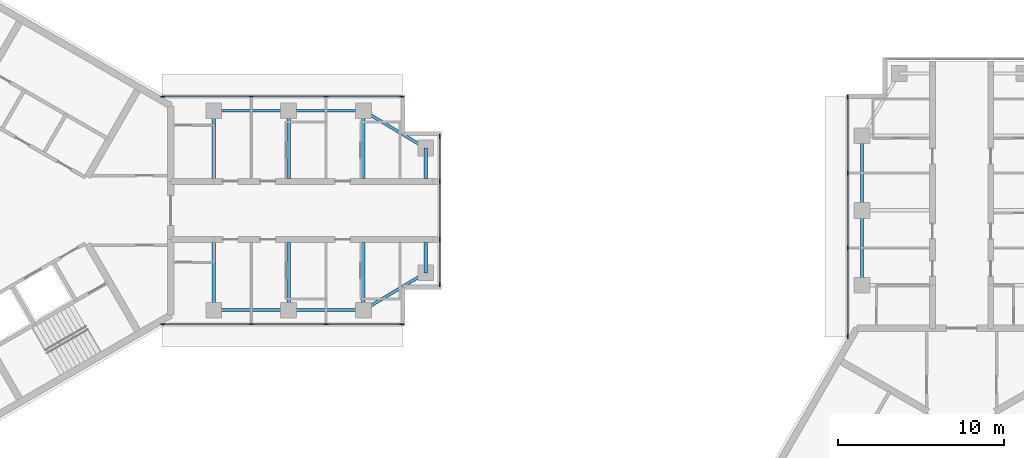
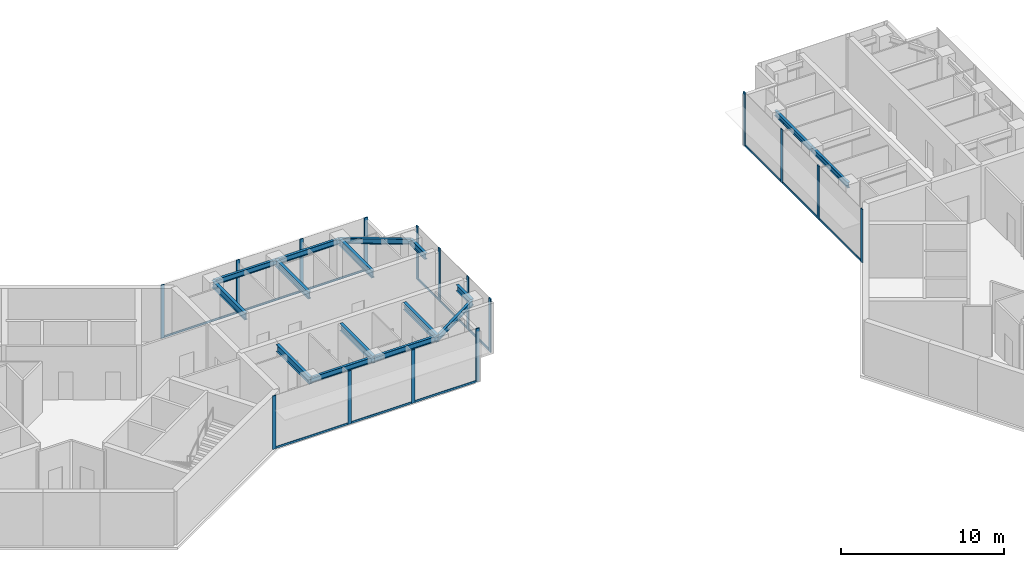
# One storey, part 2 of 11: 28 members, 16 beams, 4 elements without a shape of their own.
"""IFC4 building model written with IfcOpenShell, lengths in metres."""

from ifc_helpers import new_model, si_unit, direction, frame, origin, origin_2d, place, context, subcontext, project, spatial, rectangle, i_section, extrude, material, material_profile, profile_set, type_object, element, aggregate, save


model = new_model("IFC4")

# Units and contexts
model_context = context("Model", 3, precision=1e-05, world=origin(), true_north=direction((0.0, 1.0)))
body_context = subcontext(model_context, "Body", "Model", "MODEL_VIEW")
ifc_project = project(units=[si_unit("LENGTHUNIT", "METRE"), si_unit("AREAUNIT", "SQUARE_METRE"), si_unit("VOLUMEUNIT", "CUBIC_METRE"), si_unit("PLANEANGLEUNIT", "RADIAN"), si_unit("MASSUNIT", "GRAM", prefix="KILO")], contexts=[model_context])

# Site, building, storey
site_placement = place(None, origin())
site = spatial("IfcSite", under=ifc_project, at=site_placement, CompositionType="ELEMENT")
building_placement = place(site_placement, origin())
building = spatial("IfcBuilding", under=site, at=building_placement, Name="Upepo Twin Towers", CompositionType="ELEMENT")
storey_placement = place(building_placement, frame((0.0, 0.0, 283.5)))
storey = spatial("IfcBuildingStorey", under=building, at=storey_placement, Name="L69", CompositionType="ELEMENT", Elevation=283.5)

# Beams
ifc_material_1 = material(Name="Steel S355", Category="steel")
ifc_material_profile_1 = material_profile(ifc_material_1, i_section(OverallWidth=0.177978515625, OverallDepth=0.406494140625, WebThickness=0.0078125, FlangeThickness=0.0126953125, FilletRadius=0.01025390625, at=origin_2d()), Name="UB 406x178x60")
ifc_profile_set_1 = profile_set([ifc_material_profile_1], Name="Steel S355")
beam_type_1 = type_object("IfcBeamType", Name="Beam UB 406x178x60", PredefinedType="BEAM", material=ifc_profile_set_1)
for number, where, z_axis, x_axis, name in (
    (1, (13.5, 6.0, 3.5966796875), (1.0, 0.0, 0.0), (0.0, 1.0, 0.0), "T1 edge beam AL 13.5-18.0"),
    (2, (18.0, 6.0, 3.5966796875), (1.0, 0.0, 0.0), (0.0, 1.0, 0.0), "T1 edge beam AL 18.0-22.5"),
):
    element("IfcBeam", number, at=place(storey_placement, frame(where, z_axis=z_axis, x_axis=x_axis)), inside=storey, type_object=beam_type_1, Name=name, PredefinedType="BEAM", context=body_context, shape_type="SweptSolid", body=[
        extrude(i_section(OverallWidth=0.177978515625, OverallDepth=0.406494140625, WebThickness=0.0078125, FlangeThickness=0.0126953125, FilletRadius=0.01025390625, at=origin_2d()), origin(), (0.0, 0.0, 1.0), 4.5),
    ])
beam_1_placement = place(storey_placement, frame((22.5, 6.0, 3.5966796875), z_axis=(0.857492925713, -0.514495755428, 0.0), x_axis=(0.514495755428, 0.857492925713, 0.0)))
element("IfcBeam", 3, at=beam_1_placement, inside=storey, type_object=beam_type_1, Name="T1 nose edge beam AL", PredefinedType="BEAM", context=body_context, shape_type="SweptSolid", body=[
    extrude(i_section(OverallWidth=0.177978515625, OverallDepth=0.406494140625, WebThickness=0.0078125, FlangeThickness=0.0126953125, FilletRadius=0.01025390625, at=origin_2d()), origin(), (0.0, 0.0, 1.0), 4.373291015625),
])
for number, where, z_axis, x_axis, name in (
    (4, (13.5, -6.0, 3.5966796875), (1.0, 0.0, 0.0), (0.0, 1.0, 0.0), "T1 edge beam AR 13.5-18.0"),
    (5, (18.0, -6.0, 3.5966796875), (1.0, 0.0, 0.0), (0.0, 1.0, 0.0), "T1 edge beam AR 18.0-22.5"),
):
    element("IfcBeam", number, at=place(storey_placement, frame(where, z_axis=z_axis, x_axis=x_axis)), inside=storey, type_object=beam_type_1, Name=name, PredefinedType="BEAM", context=body_context, shape_type="SweptSolid", body=[
        extrude(i_section(OverallWidth=0.177978515625, OverallDepth=0.406494140625, WebThickness=0.0078125, FlangeThickness=0.0126953125, FilletRadius=0.01025390625, at=origin_2d()), origin(), (0.0, 0.0, 1.0), 4.5),
    ])
beam_2_placement = place(storey_placement, frame((22.5, -6.0, 3.5966796875), z_axis=(0.857492925713, 0.514495755428, 0.0), x_axis=(-0.514495755428, 0.857492925713, 0.0)))
element("IfcBeam", 6, at=beam_2_placement, inside=storey, type_object=beam_type_1, Name="T1 nose edge beam AR", PredefinedType="BEAM", context=body_context, shape_type="SweptSolid", body=[
    extrude(i_section(OverallWidth=0.177978515625, OverallDepth=0.406494140625, WebThickness=0.0078125, FlangeThickness=0.0126953125, FilletRadius=0.01025390625, at=origin_2d()), origin(), (0.0, 0.0, 1.0), 4.373291015625),
])
for number, where, z_axis, x_axis, name in (
    (7, (52.5, -4.5, 3.5966796875), (0.0, 1.0, 0.0), (-1.0, 0.0, 0.0), "T2 edge beam AL 13.5-18.0"),
    (8, (52.5, 0.0, 3.5966796875), (0.0, 1.0, 0.0), (-1.0, 0.0, 0.0), "T2 edge beam AL 18.0-22.5"),
):
    element("IfcBeam", number, at=place(storey_placement, frame(where, z_axis=z_axis, x_axis=x_axis)), inside=storey, type_object=beam_type_1, Name=name, PredefinedType="BEAM", context=body_context, shape_type="SweptSolid", body=[
        extrude(i_section(OverallWidth=0.177978515625, OverallDepth=0.406494140625, WebThickness=0.0078125, FlangeThickness=0.0126953125, FilletRadius=0.01025390625, at=origin_2d()), origin(), (0.0, 0.0, 1.0), 4.5),
    ])
ifc_material_2 = material(Name="Steel S355", Category="steel")
ifc_material_profile_2 = material_profile(ifc_material_2, i_section(OverallWidth=0.19140625, OverallDepth=0.4599609375, WebThickness=0.010009765625, FlangeThickness=0.01611328125, FilletRadius=0.01025390625, at=origin_2d()), Name="UB 457x191x82")
ifc_profile_set_2 = profile_set([ifc_material_profile_2], Name="Steel S355")
beam_type_2 = type_object("IfcBeamType", Name="Beam UB 457x191x82", PredefinedType="BEAM", material=ifc_profile_set_2)
for number, where, z_axis, x_axis, name in (
    (9, (26.25, 3.75, 3.570068359375), (0.0, -1.0, 0.0), (1.0, 0.0, 0.0), "T1 nose beam AL"),
    (10, (26.25, -3.75, 3.570068359375), (0.0, 1.0, 0.0), (-1.0, 0.0, 0.0), "T1 nose beam AR"),
):
    element("IfcBeam", number, at=place(storey_placement, frame(where, z_axis=z_axis, x_axis=x_axis)), inside=storey, type_object=beam_type_2, Name=name, PredefinedType="BEAM", context=body_context, shape_type="SweptSolid", body=[
        extrude(i_section(OverallWidth=0.19140625, OverallDepth=0.4599609375, WebThickness=0.010009765625, FlangeThickness=0.01611328125, FilletRadius=0.01025390625, at=origin_2d()), origin(), (0.0, 0.0, 1.0), 1.824951171875),
    ])
ifc_material_3 = material(Name="Steel S355", Category="steel")
ifc_material_profile_3 = material_profile(ifc_material_3, i_section(OverallWidth=0.209228515625, OverallDepth=0.533203125, WebThickness=0.010009765625, FlangeThickness=0.015625, FilletRadius=0.0126953125, at=origin_2d()), Name="UB 533x210x92")
ifc_profile_set_3 = profile_set([ifc_material_profile_3], Name="Steel S355")
beam_type_3 = type_object("IfcBeamType", Name="Beam UB 533x210x92", PredefinedType="BEAM", material=ifc_profile_set_3)
for number, where, z_axis, x_axis, name in (
    (11, (13.5, 6.0, 3.533447265625), (0.0, -1.0, 0.0), (1.0, 0.0, 0.0), "T1 girder AL at 13.5"),
    (12, (18.0, 6.0, 3.533447265625), (0.0, -1.0, 0.0), (1.0, 0.0, 0.0), "T1 girder AL at 18.0"),
    (13, (22.5, 6.0, 3.533447265625), (0.0, -1.0, 0.0), (1.0, 0.0, 0.0), "T1 girder AL at 22.5"),
    (14, (13.5, -6.0, 3.533447265625), (0.0, 1.0, 0.0), (-1.0, 0.0, 0.0), "T1 girder AR at 13.5"),
    (15, (18.0, -6.0, 3.533447265625), (0.0, 1.0, 0.0), (-1.0, 0.0, 0.0), "T1 girder AR at 18.0"),
    (16, (22.5, -6.0, 3.533447265625), (0.0, 1.0, 0.0), (-1.0, 0.0, 0.0), "T1 girder AR at 22.5"),
):
    element("IfcBeam", number, at=place(storey_placement, frame(where, z_axis=z_axis, x_axis=x_axis)), inside=storey, type_object=beam_type_3, Name=name, PredefinedType="BEAM", context=body_context, shape_type="SweptSolid", body=[
        extrude(i_section(OverallWidth=0.209228515625, OverallDepth=0.533203125, WebThickness=0.010009765625, FlangeThickness=0.015625, FilletRadius=0.0126953125, at=origin_2d()), origin(), (0.0, 0.0, 1.0), 4.074951171875),
    ])

# Curtain wall, members
ifc_material_4 = material(Name="Aluminium and fritted glass", Category="aluminium")
curtain_wall_type = type_object("IfcCurtainWallType", Name="Tower curtain wall TW4, fritted glass", PredefinedType="NOTDEFINED", material=ifc_material_4)
curtain_wall_1_placement = place(storey_placement, origin())
curtain_wall_1 = element("IfcCurtainWall", 17, at=curtain_wall_1_placement, inside=storey, type_object=curtain_wall_type, Name="T1 L69 wing A flank L curtain wall", PredefinedType="NOTDEFINED")
ifc_material_5 = material(Name="Aluminium mullion", Category="aluminium")
ifc_material_profile_4 = material_profile(ifc_material_5, rectangle(XDim=0.06494140625, YDim=0.25, at=origin_2d()), Name="MULLION 65x250")
ifc_profile_set_4 = profile_set([ifc_material_profile_4], Name="Aluminium mullion")
member_type_1 = type_object("IfcMemberType", Name="Mullion 65x250 TW4", PredefinedType="MULLION", material=ifc_profile_set_4)
member_1_placement = place(storey_placement, frame((10.419677734375, 6.85009765625, 0.0), z_axis=(0.0, 0.0, 1.0), x_axis=(0.0, 1.0, 0.0)))
member_1 = element("IfcMember", 18, at=member_1_placement, type_object=member_type_1, Name="T1 L69 wing A flank L curtain wall mullion 1", PredefinedType="MULLION", context=body_context, shape_type="SweptSolid", body=[
    extrude(rectangle(XDim=0.06494140625, YDim=0.25, at=origin_2d()), origin(), (0.0, 0.0, 1.0), 4.0),
])
member_2_placement = place(storey_placement, frame((15.75, 6.85009765625, 0.0), z_axis=(0.0, 0.0, 1.0), x_axis=(0.0, 1.0, 0.0)))
member_2 = element("IfcMember", 19, at=member_2_placement, type_object=member_type_1, Name="T1 L69 wing A flank L curtain wall mullion 2", PredefinedType="MULLION", context=body_context, shape_type="SweptSolid", body=[
    extrude(rectangle(XDim=0.06494140625, YDim=0.25, at=origin_2d()), origin(), (0.0, 0.0, 1.0), 4.0),
])
member_3_placement = place(storey_placement, frame((20.25, 6.85009765625, 0.0), z_axis=(0.0, 0.0, 1.0), x_axis=(0.0, 1.0, 0.0)))
member_3 = element("IfcMember", 20, at=member_3_placement, type_object=member_type_1, Name="T1 L69 wing A flank L curtain wall mullion 3", PredefinedType="MULLION", context=body_context, shape_type="SweptSolid", body=[
    extrude(rectangle(XDim=0.06494140625, YDim=0.25, at=origin_2d()), origin(), (0.0, 0.0, 1.0), 4.0),
])
member_4_placement = place(storey_placement, frame((24.8173828125, 6.85009765625, 0.0), z_axis=(0.0, 0.0, 1.0), x_axis=(0.0, 1.0, 0.0)))
member_4 = element("IfcMember", 21, at=member_4_placement, type_object=member_type_1, Name="T1 L69 wing A flank L curtain wall mullion 4", PredefinedType="MULLION", context=body_context, shape_type="SweptSolid", body=[
    extrude(rectangle(XDim=0.06494140625, YDim=0.25, at=origin_2d()), origin(), (0.0, 0.0, 1.0), 4.0),
])

curtain_wall_2_placement = place(storey_placement, origin())
curtain_wall_2 = element("IfcCurtainWall", 22, at=curtain_wall_2_placement, inside=storey, type_object=curtain_wall_type, Name="T1 L69 wing A flank R curtain wall", PredefinedType="NOTDEFINED")
member_5_placement = place(storey_placement, frame((24.8173828125, -6.85009765625, 0.0), z_axis=(0.0, 0.0, 1.0), x_axis=(0.0, -1.0, 0.0)))
member_5 = element("IfcMember", 23, at=member_5_placement, type_object=member_type_1, Name="T1 L69 wing A flank R curtain wall mullion 1", PredefinedType="MULLION", context=body_context, shape_type="SweptSolid", body=[
    extrude(rectangle(XDim=0.06494140625, YDim=0.25, at=origin_2d()), origin(), (0.0, 0.0, 1.0), 4.0),
])
member_6_placement = place(storey_placement, frame((20.25, -6.85009765625, 0.0), z_axis=(0.0, 0.0, 1.0), x_axis=(0.0, -1.0, 0.0)))
member_6 = element("IfcMember", 24, at=member_6_placement, type_object=member_type_1, Name="T1 L69 wing A flank R curtain wall mullion 2", PredefinedType="MULLION", context=body_context, shape_type="SweptSolid", body=[
    extrude(rectangle(XDim=0.06494140625, YDim=0.25, at=origin_2d()), origin(), (0.0, 0.0, 1.0), 4.0),
])
member_7_placement = place(storey_placement, frame((15.75, -6.85009765625, 0.0), z_axis=(0.0, 0.0, 1.0), x_axis=(0.0, -1.0, 0.0)))
member_7 = element("IfcMember", 25, at=member_7_placement, type_object=member_type_1, Name="T1 L69 wing A flank R curtain wall mullion 3", PredefinedType="MULLION", context=body_context, shape_type="SweptSolid", body=[
    extrude(rectangle(XDim=0.06494140625, YDim=0.25, at=origin_2d()), origin(), (0.0, 0.0, 1.0), 4.0),
])
member_8_placement = place(storey_placement, frame((10.419677734375, -6.85009765625, 0.0), z_axis=(0.0, 0.0, 1.0), x_axis=(0.0, -1.0, 0.0)))
member_8 = element("IfcMember", 26, at=member_8_placement, type_object=member_type_1, Name="T1 L69 wing A flank R curtain wall mullion 4", PredefinedType="MULLION", context=body_context, shape_type="SweptSolid", body=[
    extrude(rectangle(XDim=0.06494140625, YDim=0.25, at=origin_2d()), origin(), (0.0, 0.0, 1.0), 4.0),
])

curtain_wall_3_placement = place(storey_placement, origin())
curtain_wall_3 = element("IfcCurtainWall", 27, at=curtain_wall_3_placement, inside=storey, type_object=curtain_wall_type, Name="T1 L69 wing A nose curtain wall", PredefinedType="NOTDEFINED")
member_9_placement = place(storey_placement, frame((27.10009765625, -4.467529296875, 0.0), z_axis=(0.0, 0.0, 1.0), x_axis=(-1.0, 0.0, 0.0)))
member_9 = element("IfcMember", 28, at=member_9_placement, type_object=member_type_1, Name="T1 L69 wing A nose curtain wall mullion 1", PredefinedType="MULLION", context=body_context, shape_type="SweptSolid", body=[
    extrude(rectangle(XDim=0.06494140625, YDim=0.25, at=origin_2d()), origin(), (0.0, 0.0, 1.0), 4.0),
])
member_10_placement = place(storey_placement, frame((27.10009765625, -1.75, 0.0), z_axis=(0.0, 0.0, 1.0), x_axis=(-1.0, 0.0, 0.0)))
member_10 = element("IfcMember", 29, at=member_10_placement, type_object=member_type_1, Name="T1 L69 wing A nose curtain wall mullion 2", PredefinedType="MULLION", context=body_context, shape_type="SweptSolid", body=[
    extrude(rectangle(XDim=0.06494140625, YDim=0.25, at=origin_2d()), origin(), (0.0, 0.0, 1.0), 4.0),
])
member_11_placement = place(storey_placement, frame((27.10009765625, 1.75, 0.0), z_axis=(0.0, 0.0, 1.0), x_axis=(-1.0, 0.0, 0.0)))
member_11 = element("IfcMember", 30, at=member_11_placement, type_object=member_type_1, Name="T1 L69 wing A nose curtain wall mullion 3", PredefinedType="MULLION", context=body_context, shape_type="SweptSolid", body=[
    extrude(rectangle(XDim=0.06494140625, YDim=0.25, at=origin_2d()), origin(), (0.0, 0.0, 1.0), 4.0),
])
member_12_placement = place(storey_placement, frame((27.10009765625, 4.467529296875, 0.0), z_axis=(0.0, 0.0, 1.0), x_axis=(-1.0, 0.0, 0.0)))
member_12 = element("IfcMember", 31, at=member_12_placement, type_object=member_type_1, Name="T1 L69 wing A nose curtain wall mullion 4", PredefinedType="MULLION", context=body_context, shape_type="SweptSolid", body=[
    extrude(rectangle(XDim=0.06494140625, YDim=0.25, at=origin_2d()), origin(), (0.0, 0.0, 1.0), 4.0),
])

curtain_wall_4_placement = place(storey_placement, origin())
curtain_wall_4 = element("IfcCurtainWall", 32, at=curtain_wall_4_placement, inside=storey, type_object=curtain_wall_type, Name="T2 L69 wing A flank L curtain wall", PredefinedType="NOTDEFINED")
member_13_placement = place(storey_placement, frame((51.64990234375, -7.580322265625, 0.0), z_axis=(0.0, 0.0, 1.0), x_axis=(-1.0, 0.0, 0.0)))
member_13 = element("IfcMember", 33, at=member_13_placement, type_object=member_type_1, Name="T2 L69 wing A flank L curtain wall mullion 1", PredefinedType="MULLION", context=body_context, shape_type="SweptSolid", body=[
    extrude(rectangle(XDim=0.06494140625, YDim=0.25, at=origin_2d()), origin(), (0.0, 0.0, 1.0), 4.0),
])
member_14_placement = place(storey_placement, frame((51.64990234375, -2.25, 0.0), z_axis=(0.0, 0.0, 1.0), x_axis=(-1.0, 0.0, 0.0)))
member_14 = element("IfcMember", 34, at=member_14_placement, type_object=member_type_1, Name="T2 L69 wing A flank L curtain wall mullion 2", PredefinedType="MULLION", context=body_context, shape_type="SweptSolid", body=[
    extrude(rectangle(XDim=0.06494140625, YDim=0.25, at=origin_2d()), origin(), (0.0, 0.0, 1.0), 4.0),
])
member_15_placement = place(storey_placement, frame((51.64990234375, 2.25, 0.0), z_axis=(0.0, 0.0, 1.0), x_axis=(-1.0, 0.0, 0.0)))
member_15 = element("IfcMember", 35, at=member_15_placement, type_object=member_type_1, Name="T2 L69 wing A flank L curtain wall mullion 3", PredefinedType="MULLION", context=body_context, shape_type="SweptSolid", body=[
    extrude(rectangle(XDim=0.06494140625, YDim=0.25, at=origin_2d()), origin(), (0.0, 0.0, 1.0), 4.0),
])
member_16_placement = place(storey_placement, frame((51.64990234375, 6.8173828125, 0.0), z_axis=(0.0, 0.0, 1.0), x_axis=(-1.0, 0.0, 0.0)))
member_16 = element("IfcMember", 36, at=member_16_placement, type_object=member_type_1, Name="T2 L69 wing A flank L curtain wall mullion 4", PredefinedType="MULLION", context=body_context, shape_type="SweptSolid", body=[
    extrude(rectangle(XDim=0.06494140625, YDim=0.25, at=origin_2d()), origin(), (0.0, 0.0, 1.0), 4.0),
])

# Member
ifc_material_6 = material(Name="Aluminium transom", Category="aluminium")
ifc_material_profile_5 = material_profile(ifc_material_6, rectangle(XDim=0.06494140625, YDim=0.14990234375, at=origin_2d()), Name="TRANSOM 65x150")
ifc_profile_set_5 = profile_set([ifc_material_profile_5], Name="Aluminium transom")
member_type_2 = type_object("IfcMemberType", Name="Transom 65x150 TW4", PredefinedType="USERDEFINED", material=ifc_profile_set_5)
member_17_placement = place(storey_placement, frame((10.4521484375, 6.85009765625, 0.074951171875), z_axis=(1.0, 0.0, 0.0), x_axis=(0.0, 1.0, 0.0)))
member_17 = element("IfcMember", 37, at=member_17_placement, type_object=member_type_2, Name="T1 L69 wing A flank L curtain wall transom 1", ObjectType="TRANSOM", PredefinedType="USERDEFINED", context=body_context, shape_type="SweptSolid", body=[
    extrude(rectangle(XDim=0.06494140625, YDim=0.14990234375, at=origin_2d()), origin(), (0.0, 0.0, 1.0), 5.265380859375),
])

member_18_placement = place(storey_placement, frame((15.782470703125, 6.85009765625, 0.074951171875), z_axis=(1.0, 0.0, 0.0), x_axis=(0.0, 1.0, 0.0)))
member_18 = element("IfcMember", 38, at=member_18_placement, type_object=member_type_2, Name="T1 L69 wing A flank L curtain wall transom 2", ObjectType="TRANSOM", PredefinedType="USERDEFINED", context=body_context, shape_type="SweptSolid", body=[
    extrude(rectangle(XDim=0.06494140625, YDim=0.14990234375, at=origin_2d()), origin(), (0.0, 0.0, 1.0), 4.43505859375),
])

member_19_placement = place(storey_placement, frame((20.282470703125, 6.85009765625, 0.074951171875), z_axis=(1.0, 0.0, 0.0), x_axis=(0.0, 1.0, 0.0)))
member_19 = element("IfcMember", 39, at=member_19_placement, type_object=member_type_2, Name="T1 L69 wing A flank L curtain wall transom 3", ObjectType="TRANSOM", PredefinedType="USERDEFINED", context=body_context, shape_type="SweptSolid", body=[
    extrude(rectangle(XDim=0.06494140625, YDim=0.14990234375, at=origin_2d()), origin(), (0.0, 0.0, 1.0), 4.50244140625),
])

aggregate(curtain_wall_1, [member_1, member_2, member_3, member_4, member_17, member_18, member_19])

member_20_placement = place(storey_placement, frame((24.784912109375, -6.85009765625, 0.074951171875), z_axis=(-1.0, 0.0, 0.0), x_axis=(0.0, -1.0, 0.0)))
member_20 = element("IfcMember", 40, at=member_20_placement, type_object=member_type_2, Name="T1 L69 wing A flank R curtain wall transom 1", ObjectType="TRANSOM", PredefinedType="USERDEFINED", context=body_context, shape_type="SweptSolid", body=[
    extrude(rectangle(XDim=0.06494140625, YDim=0.14990234375, at=origin_2d()), origin(), (0.0, 0.0, 1.0), 4.50244140625),
])

member_21_placement = place(storey_placement, frame((20.217529296875, -6.85009765625, 0.074951171875), z_axis=(-1.0, 0.0, 0.0), x_axis=(0.0, -1.0, 0.0)))
member_21 = element("IfcMember", 41, at=member_21_placement, type_object=member_type_2, Name="T1 L69 wing A flank R curtain wall transom 2", ObjectType="TRANSOM", PredefinedType="USERDEFINED", context=body_context, shape_type="SweptSolid", body=[
    extrude(rectangle(XDim=0.06494140625, YDim=0.14990234375, at=origin_2d()), origin(), (0.0, 0.0, 1.0), 4.43505859375),
])

member_22_placement = place(storey_placement, frame((15.717529296875, -6.85009765625, 0.074951171875), z_axis=(-1.0, 0.0, 0.0), x_axis=(0.0, -1.0, 0.0)))
member_22 = element("IfcMember", 42, at=member_22_placement, type_object=member_type_2, Name="T1 L69 wing A flank R curtain wall transom 3", ObjectType="TRANSOM", PredefinedType="USERDEFINED", context=body_context, shape_type="SweptSolid", body=[
    extrude(rectangle(XDim=0.06494140625, YDim=0.14990234375, at=origin_2d()), origin(), (0.0, 0.0, 1.0), 5.265380859375),
])

aggregate(curtain_wall_2, [member_5, member_6, member_7, member_8, member_20, member_21, member_22])

member_23_placement = place(storey_placement, frame((27.10009765625, -4.43505859375, 0.074951171875), z_axis=(0.0, 1.0, 0.0), x_axis=(-1.0, 0.0, 0.0)))
member_23 = element("IfcMember", 43, at=member_23_placement, type_object=member_type_2, Name="T1 L69 wing A nose curtain wall transom 1", ObjectType="TRANSOM", PredefinedType="USERDEFINED", context=body_context, shape_type="SweptSolid", body=[
    extrude(rectangle(XDim=0.06494140625, YDim=0.14990234375, at=origin_2d()), origin(), (0.0, 0.0, 1.0), 2.652587890625),
])

member_24_placement = place(storey_placement, frame((27.10009765625, -1.717529296875, 0.074951171875), z_axis=(0.0, 1.0, 0.0), x_axis=(-1.0, 0.0, 0.0)))
member_24 = element("IfcMember", 44, at=member_24_placement, type_object=member_type_2, Name="T1 L69 wing A nose curtain wall transom 2", ObjectType="TRANSOM", PredefinedType="USERDEFINED", context=body_context, shape_type="SweptSolid", body=[
    extrude(rectangle(XDim=0.06494140625, YDim=0.14990234375, at=origin_2d()), origin(), (0.0, 0.0, 1.0), 3.43505859375),
])

member_25_placement = place(storey_placement, frame((27.10009765625, 1.782470703125, 0.074951171875), z_axis=(0.0, 1.0, 0.0), x_axis=(-1.0, 0.0, 0.0)))
member_25 = element("IfcMember", 45, at=member_25_placement, type_object=member_type_2, Name="T1 L69 wing A nose curtain wall transom 3", ObjectType="TRANSOM", PredefinedType="USERDEFINED", context=body_context, shape_type="SweptSolid", body=[
    extrude(rectangle(XDim=0.06494140625, YDim=0.14990234375, at=origin_2d()), origin(), (0.0, 0.0, 1.0), 2.652587890625),
])

aggregate(curtain_wall_3, [member_9, member_10, member_11, member_12, member_23, member_24, member_25])

member_26_placement = place(storey_placement, frame((51.64990234375, -7.5478515625, 0.074951171875), z_axis=(0.0, 1.0, 0.0), x_axis=(-1.0, 0.0, 0.0)))
member_26 = element("IfcMember", 46, at=member_26_placement, type_object=member_type_2, Name="T2 L69 wing A flank L curtain wall transom 1", ObjectType="TRANSOM", PredefinedType="USERDEFINED", context=body_context, shape_type="SweptSolid", body=[
    extrude(rectangle(XDim=0.06494140625, YDim=0.14990234375, at=origin_2d()), origin(), (0.0, 0.0, 1.0), 5.265380859375),
])

member_27_placement = place(storey_placement, frame((51.64990234375, -2.217529296875, 0.074951171875), z_axis=(0.0, 1.0, 0.0), x_axis=(-1.0, 0.0, 0.0)))
member_27 = element("IfcMember", 47, at=member_27_placement, type_object=member_type_2, Name="T2 L69 wing A flank L curtain wall transom 2", ObjectType="TRANSOM", PredefinedType="USERDEFINED", context=body_context, shape_type="SweptSolid", body=[
    extrude(rectangle(XDim=0.06494140625, YDim=0.14990234375, at=origin_2d()), origin(), (0.0, 0.0, 1.0), 4.43505859375),
])

member_28_placement = place(storey_placement, frame((51.64990234375, 2.282470703125, 0.074951171875), z_axis=(0.0, 1.0, 0.0), x_axis=(-1.0, 0.0, 0.0)))
member_28 = element("IfcMember", 48, at=member_28_placement, type_object=member_type_2, Name="T2 L69 wing A flank L curtain wall transom 3", ObjectType="TRANSOM", PredefinedType="USERDEFINED", context=body_context, shape_type="SweptSolid", body=[
    extrude(rectangle(XDim=0.06494140625, YDim=0.14990234375, at=origin_2d()), origin(), (0.0, 0.0, 1.0), 4.50244140625),
])

aggregate(curtain_wall_4, [member_13, member_14, member_15, member_16, member_26, member_27, member_28])

save(model, "model.ifc")
